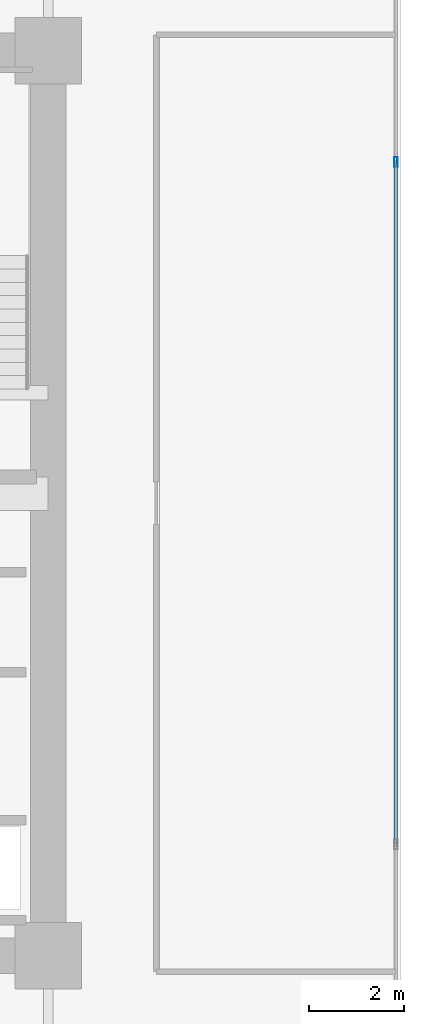
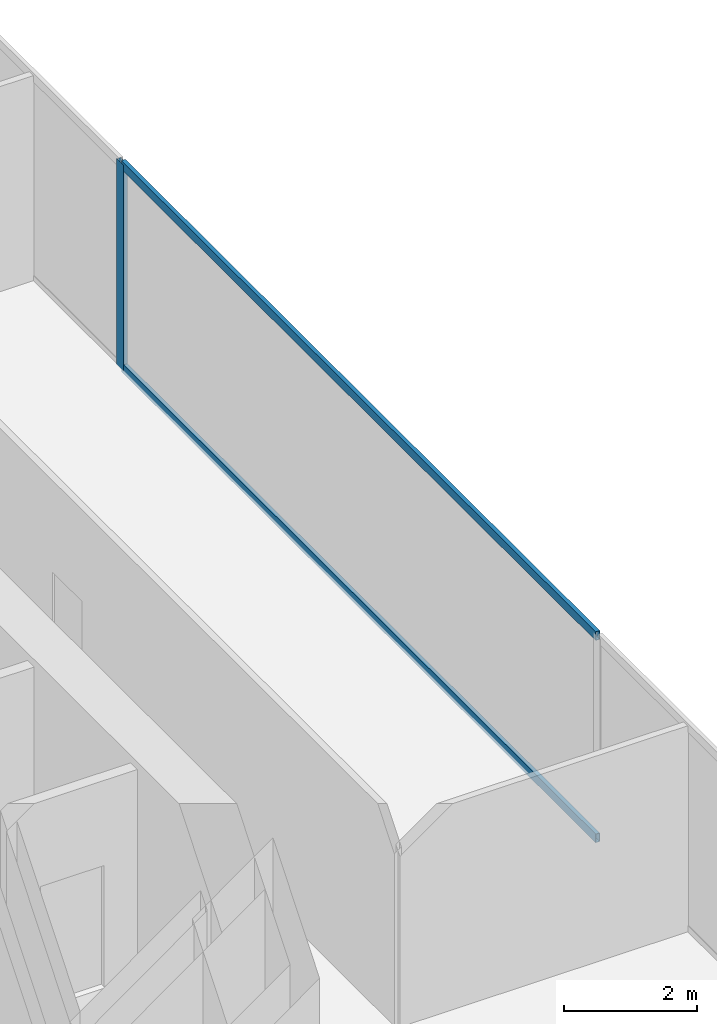
# One storey, part 25 of 37: 3 members, 1 element without a shape of its own.
"""IFC4 building model written with IfcOpenShell, lengths in metres."""

from ifc_helpers import new_model, si_unit, direction, frame, origin, origin_2d, place, context, subcontext, project, spatial, hollow_rectangle, extrude, source, transform, mapped, material, layer, layer_set, material_profile, profile_set, type_object, type_shapes, element, aggregate, save


model = new_model("IFC4")

# Units and contexts
model_context = context("Model", 3, precision=1e-05, world=origin(), true_north=direction((0.0, 1.0)))
body_context = subcontext(model_context, "Body", "Model", "MODEL_VIEW")
ifc_project = project(units=[si_unit("LENGTHUNIT", "METRE"), si_unit("AREAUNIT", "SQUARE_METRE"), si_unit("VOLUMEUNIT", "CUBIC_METRE"), si_unit("PLANEANGLEUNIT", "RADIAN"), si_unit("MASSUNIT", "GRAM", prefix="KILO")], contexts=[model_context])

# Site, building, storey
site_placement = place(None, origin())
site = spatial("IfcSite", under=ifc_project, at=site_placement, CompositionType="ELEMENT")
building_placement = place(site_placement, origin())
building = spatial("IfcBuilding", under=site, at=building_placement, Name="Haelvirn Gate Laboratories", CompositionType="ELEMENT")
storey_placement = place(building_placement, frame((0.0, 0.0, 78.5)))
storey = spatial("IfcBuildingStorey", under=building, at=storey_placement, Name="L19", CompositionType="ELEMENT", Elevation=78.5)

# Curtain wall, members
ifc_material_1 = material(Name="Anodised bronze unitised aluminium & triple low-E glass", Category="aluminium")
ifc_layer = layer(ifc_material_1, 0.18408203125, Name="CW-SYS-2")
ifc_layer_set = layer_set([ifc_layer], Name="Anodised bronze unitised aluminium & triple low-E glass")
curtain_wall_type = type_object("IfcCurtainWallType", Name="CW-SYS-2", PredefinedType="NOTDEFINED", material=ifc_layer_set)
curtain_wall_placement = place(storey_placement, origin())
curtain_wall = element("IfcCurtainWall", 1, at=curtain_wall_placement, inside=storey, type_object=curtain_wall_type, Name="L19 Unitised Curtain Wall CW-L19-P0-E07", PredefinedType="NOTDEFINED")
ifc_material_2 = material(Name="Extruded aluminium 6063-T6 (anodised bronze)", Category="aluminium")
ifc_material_profile_1 = material_profile(ifc_material_2, hollow_rectangle(XDim=0.074951171875, YDim=0.199951171875, WallThickness=0.0048828125, at=origin_2d()), Name="CWM-200x75x5")
ifc_profile_set_1 = profile_set([ifc_material_profile_1], Name="Extruded aluminium 6063-T6 (anodised bronze)")
member_type_1 = type_object("IfcMemberType", Name="CWM-T200", PredefinedType="MULLION", material=ifc_profile_set_1)
shared_shape_1 = source(origin(), body_context, "Body", "SweptSolid", [
    extrude(hollow_rectangle(XDim=0.074951171875, YDim=0.199951171875, WallThickness=0.0048828125, at=origin_2d()), origin(), (0.0, 0.0, 1.0), 3.780029296875),
])
type_shapes(member_type_1, [shared_shape_1])
member_1_placement = place(storey_placement, frame((74.699951171875, 31.466552734375, 0.0), z_axis=(0.0, 0.0, 1.0), x_axis=(-1.0, 0.0, 0.0)))
member_1 = element("IfcMember", 2, at=member_1_placement, type_object=member_type_1, Name="CW2 mullion 3", PredefinedType="MULLION", context=body_context, shape_type="MappedRepresentation", body=[
    mapped(shared_shape_1, transform((0.0, 0.0, 0.0), scale=1.0)),
])
ifc_material_profile_2 = material_profile(ifc_material_2, hollow_rectangle(XDim=0.070068359375, YDim=0.159912109375, WallThickness=0.0048828125, at=origin_2d()), Name="CWT-160x70x5")
ifc_profile_set_2 = profile_set([ifc_material_profile_2], Name="Extruded aluminium 6063-T6 (anodised bronze)")
member_type_2 = type_object("IfcMemberType", Name="CWT-T160", PredefinedType="USERDEFINED", material=ifc_profile_set_2)
shared_shape_2 = source(origin(), body_context, "Body", "SweptSolid", [
    extrude(hollow_rectangle(XDim=0.070068359375, YDim=0.159912109375, WallThickness=0.0048828125, at=origin_2d()), origin(), (0.0, 0.0, 1.0), 14.25830078125),
])
type_shapes(member_type_2, [shared_shape_2])
member_2_placement = place(storey_placement, frame((74.699951171875, 17.1708984375, 0.034912109375), z_axis=(0.0, 1.0, 0.0), x_axis=(-1.0, 0.0, 0.0)))
member_2 = element("IfcMember", 3, at=member_2_placement, type_object=member_type_2, Name="CW2 transom 2.1", ObjectType="TRANSOM", PredefinedType="USERDEFINED", context=body_context, shape_type="MappedRepresentation", body=[
    mapped(shared_shape_2, transform((0.0, 0.0, 0.0), scale=1.0)),
])
member_3_placement = place(storey_placement, frame((74.699951171875, 17.1708984375, 3.7451171875), z_axis=(0.0, 1.0, 0.0), x_axis=(-1.0, 0.0, 0.0)))
member_3 = element("IfcMember", 4, at=member_3_placement, type_object=member_type_2, Name="CW2 transom 2.2", ObjectType="TRANSOM", PredefinedType="USERDEFINED", context=body_context, shape_type="MappedRepresentation", body=[
    mapped(shared_shape_2, transform((0.0, 0.0, 0.0), scale=1.0)),
])
aggregate(curtain_wall, [member_1, member_2, member_3])

save(model, "model.ifc")
